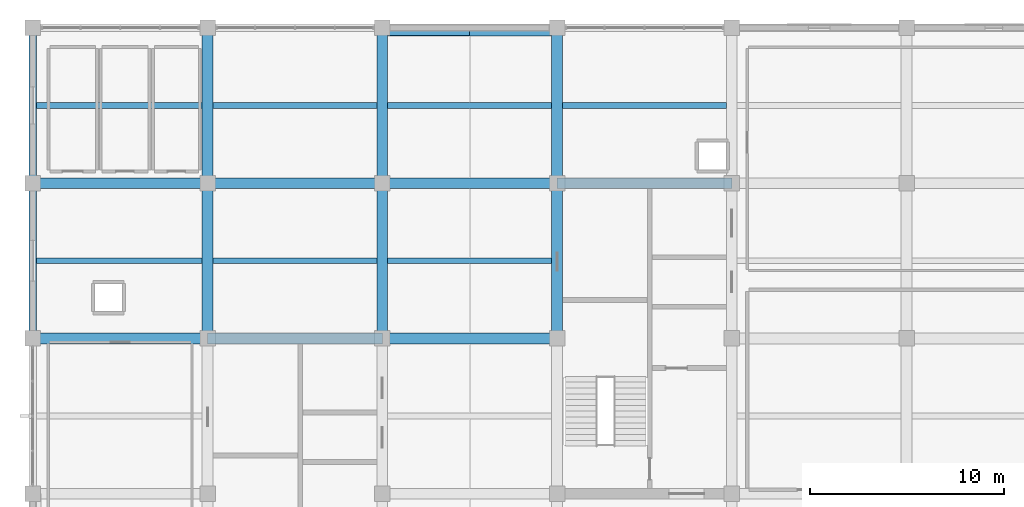
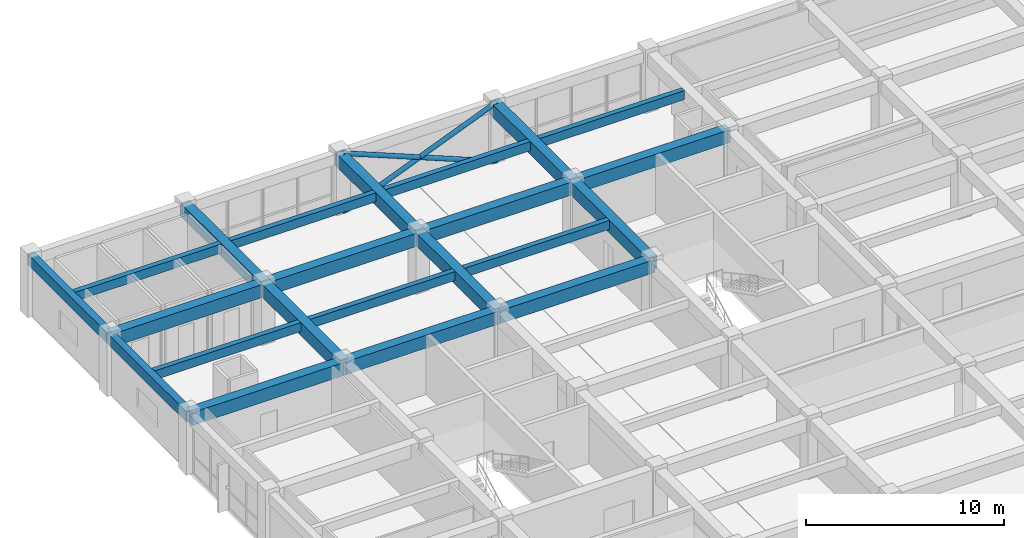
# One storey, part 8 of 16: 22 beams, 2 members.
"""IFC4 building model written with IfcOpenShell, lengths in metres."""

from ifc_helpers import new_model, si_unit, direction, frame, origin, origin_2d, place, context, subcontext, project, spatial, rectangle, hollow_circle, extrude, material, material_profile, profile_set, type_object, element, save


model = new_model("IFC4")

# Units and contexts
model_context = context("Model", 3, precision=1e-05, world=origin(), true_north=direction((0.0, 1.0)))
body_context = subcontext(model_context, "Body", "Model", "MODEL_VIEW")
ifc_project = project(units=[si_unit("LENGTHUNIT", "METRE"), si_unit("AREAUNIT", "SQUARE_METRE"), si_unit("VOLUMEUNIT", "CUBIC_METRE"), si_unit("PLANEANGLEUNIT", "RADIAN"), si_unit("MASSUNIT", "GRAM", prefix="KILO")], contexts=[model_context])

# Site, building, storey
site_placement = place(None, origin())
site = spatial("IfcSite", under=ifc_project, at=site_placement, CompositionType="ELEMENT")
building_placement = place(site_placement, origin())
building = spatial("IfcBuilding", under=site, at=building_placement, Name="Zaverband Oceanarium and Marine Research Institute", CompositionType="ELEMENT")
storey_placement = place(building_placement, frame((0.0, 0.0, 37.5)))
storey = spatial("IfcBuildingStorey", under=building, at=storey_placement, Name="L09", CompositionType="ELEMENT", Elevation=37.5)

# Beams
ifc_material_1 = material(Name="Concrete C40/50", Category="concrete")
ifc_material_profile_1 = material_profile(ifc_material_1, rectangle(XDim=0.550048828125, YDim=0.800048828125, at=origin_2d()), Name="RC550x800")
ifc_profile_set_1 = profile_set([ifc_material_profile_1], Name="Concrete C40/50")
beam_type_1 = type_object("IfcBeamType", Name="BM-550x800", PredefinedType="BEAM", material=ifc_profile_set_1)
for number, where, z_axis, x_axis, name in (
    (1, (9.0, 96.0, 3.25), (1.0, 0.0, 0.0), (0.0, 1.0, 0.0), "Primary floor girder BM-550x800"),
    (2, (18.0, 96.0, 3.25), (1.0, 0.0, 0.0), (0.0, 1.0, 0.0), "Primary floor girder BM-550x800"),
    (3, (27.0, 96.0, 3.25), (1.0, 0.0, 0.0), (0.0, 1.0, 0.0), "Primary floor girder BM-550x800"),
    (4, (9.0, 104.0, 3.25), (1.0, 0.0, 0.0), (0.0, 1.0, 0.0), "Primary floor girder BM-550x800"),
    (5, (18.0, 104.0, 3.25), (1.0, 0.0, 0.0), (0.0, 1.0, 0.0), "Primary floor girder BM-550x800"),
    (6, (27.0, 104.0, 3.25), (1.0, 0.0, 0.0), (0.0, 1.0, 0.0), "Primary floor girder BM-550x800"),
    (7, (36.0, 104.0, 3.25), (1.0, 0.0, 0.0), (0.0, 1.0, 0.0), "Primary floor girder BM-550x800"),
):
    element("IfcBeam", number, at=place(storey_placement, frame(where, z_axis=z_axis, x_axis=x_axis)), inside=storey, type_object=beam_type_1, Name=name, PredefinedType="BEAM", context=body_context, shape_type="SweptSolid", body=[
        extrude(rectangle(XDim=0.550048828125, YDim=0.800048828125, at=origin_2d()), origin(), (0.0, 0.0, 1.0), 9.0),
    ])
for number, where, z_axis, x_axis, name in (
    (8, (18.0, 96.0, 3.25), (0.0, 1.0, 0.0), (-1.0, 0.0, 0.0), "Primary floor girder BM-550x800"),
    (9, (18.0, 104.0, 3.25), (0.0, 1.0, 0.0), (-1.0, 0.0, 0.0), "Primary floor girder BM-550x800"),
    (10, (27.0, 96.0, 3.25), (0.0, 1.0, 0.0), (-1.0, 0.0, 0.0), "Primary floor girder BM-550x800"),
    (11, (27.0, 104.0, 3.25), (0.0, 1.0, 0.0), (-1.0, 0.0, 0.0), "Primary floor girder BM-550x800"),
    (12, (36.0, 96.0, 3.25), (0.0, 1.0, 0.0), (-1.0, 0.0, 0.0), "Primary floor girder BM-550x800"),
    (13, (36.0, 104.0, 3.25), (0.0, 1.0, 0.0), (-1.0, 0.0, 0.0), "Primary floor girder BM-550x800"),
):
    element("IfcBeam", number, at=place(storey_placement, frame(where, z_axis=z_axis, x_axis=x_axis)), inside=storey, type_object=beam_type_1, Name=name, PredefinedType="BEAM", context=body_context, shape_type="SweptSolid", body=[
        extrude(rectangle(XDim=0.550048828125, YDim=0.800048828125, at=origin_2d()), origin(), (0.0, 0.0, 1.0), 8.0),
    ])

# Members
ifc_material_2 = material(Name="Steel S355", Category="steel")
ifc_material_profile_2 = material_profile(ifc_material_2, hollow_circle(Radius=0.136474609375, WallThickness=0.010009765625, at=origin_2d()), Name="CHS273x10")
ifc_profile_set_2 = profile_set([ifc_material_profile_2], Name="Steel S355")
member_type = type_object("IfcMemberType", Name="BR-01", PredefinedType="BRACE", material=ifc_profile_set_2)
for number, where, z_axis, x_axis, name in (
    (14, (27.0, 111.719970703125, 0.0), (0.92669431564, 0.0, 0.375815972733), (0.0, 1.0, 0.0), "Diagonal lateral brace BR-01"),
    (15, (36.0, 111.719970703125, 0.0), (-0.92669431564, 0.0, 0.375815972733), (0.0, -1.0, 0.0), "Diagonal lateral brace BR-01"),
):
    element("IfcMember", number, at=place(storey_placement, frame(where, z_axis=z_axis, x_axis=x_axis)), inside=storey, type_object=member_type, Name=name, PredefinedType="BRACE", context=body_context, shape_type="SweptSolid", body=[
        extrude(hollow_circle(Radius=0.136474609375, WallThickness=0.010009765625, at=origin_2d()), origin(), (0.0, 0.0, 1.0), 9.7119140625),
    ])

# Beams
ifc_material_profile_3 = material_profile(ifc_material_1, rectangle(XDim=0.300048828125, YDim=0.550048828125, at=origin_2d()), Name="RC300x550")
ifc_profile_set_3 = profile_set([ifc_material_profile_3], Name="Concrete C40/50")
beam_type_2 = type_object("IfcBeamType", Name="JST-300x550", PredefinedType="JOIST", material=ifc_profile_set_3)
for number, where, z_axis, x_axis, name in (
    (16, (9.199951171875, 100.0, 3.375), (1.0, 0.0, 0.0), (0.0, 1.0, 0.0), "Secondary floor joist JST-300x550"),
    (17, (9.199951171875, 108.0, 3.375), (1.0, 0.0, 0.0), (0.0, 1.0, 0.0), "Secondary floor joist JST-300x550"),
):
    element("IfcBeam", number, at=place(storey_placement, frame(where, z_axis=z_axis, x_axis=x_axis)), inside=storey, type_object=beam_type_2, Name=name, PredefinedType="JOIST", context=body_context, shape_type="SweptSolid", body=[
        extrude(rectangle(XDim=0.300048828125, YDim=0.550048828125, at=origin_2d()), origin(), (0.0, 0.0, 1.0), 8.525146484375),
    ])
for number, where, z_axis, x_axis, name in (
    (18, (18.27490234375, 100.0, 3.375), (1.0, 0.0, 0.0), (0.0, 1.0, 0.0), "Secondary floor joist JST-300x550"),
    (19, (18.27490234375, 108.0, 3.375), (1.0, 0.0, 0.0), (0.0, 1.0, 0.0), "Secondary floor joist JST-300x550"),
    (20, (27.27490234375, 100.0, 3.375), (1.0, 0.0, 0.0), (0.0, 1.0, 0.0), "Secondary floor joist JST-300x550"),
    (21, (27.27490234375, 108.0, 3.375), (1.0, 0.0, 0.0), (0.0, 1.0, 0.0), "Secondary floor joist JST-300x550"),
    (22, (36.27490234375, 108.0, 3.375), (1.0, 0.0, 0.0), (0.0, 1.0, 0.0), "Secondary floor joist JST-300x550"),
):
    element("IfcBeam", number, at=place(storey_placement, frame(where, z_axis=z_axis, x_axis=x_axis)), inside=storey, type_object=beam_type_2, Name=name, PredefinedType="JOIST", context=body_context, shape_type="SweptSolid", body=[
        extrude(rectangle(XDim=0.300048828125, YDim=0.550048828125, at=origin_2d()), origin(), (0.0, 0.0, 1.0), 8.4501953125),
    ])
ifc_material_profile_4 = material_profile(ifc_material_1, rectangle(XDim=0.39990234375, YDim=0.64990234375, at=origin_2d()), Name="RC400x650")
ifc_profile_set_4 = profile_set([ifc_material_profile_4], Name="Concrete C40/50")
beam_type_3 = type_object("IfcBeamType", Name="SPN-400x650", PredefinedType="SPANDREL", material=ifc_profile_set_4)
for number, where, z_axis, x_axis, name in (
    (23, (9.0, 96.0, 3.324951171875), (0.0, 1.0, 0.0), (-1.0, 0.0, 0.0), "Perimeter spandrel beam SPN-400x650"),
    (24, (9.0, 104.0, 3.324951171875), (0.0, 1.0, 0.0), (-1.0, 0.0, 0.0), "Perimeter spandrel beam SPN-400x650"),
):
    element("IfcBeam", number, at=place(storey_placement, frame(where, z_axis=z_axis, x_axis=x_axis)), inside=storey, type_object=beam_type_3, Name=name, PredefinedType="SPANDREL", context=body_context, shape_type="SweptSolid", body=[
        extrude(rectangle(XDim=0.39990234375, YDim=0.64990234375, at=origin_2d()), origin(), (0.0, 0.0, 1.0), 8.0),
    ])

save(model, "model.ifc")
